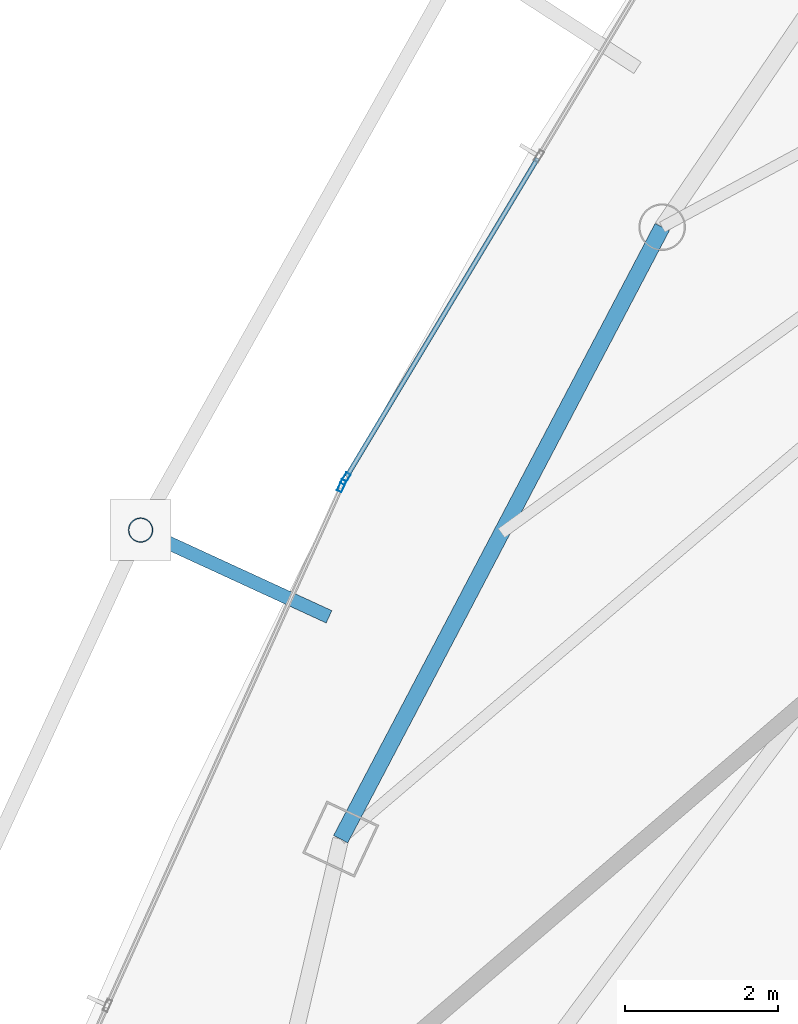
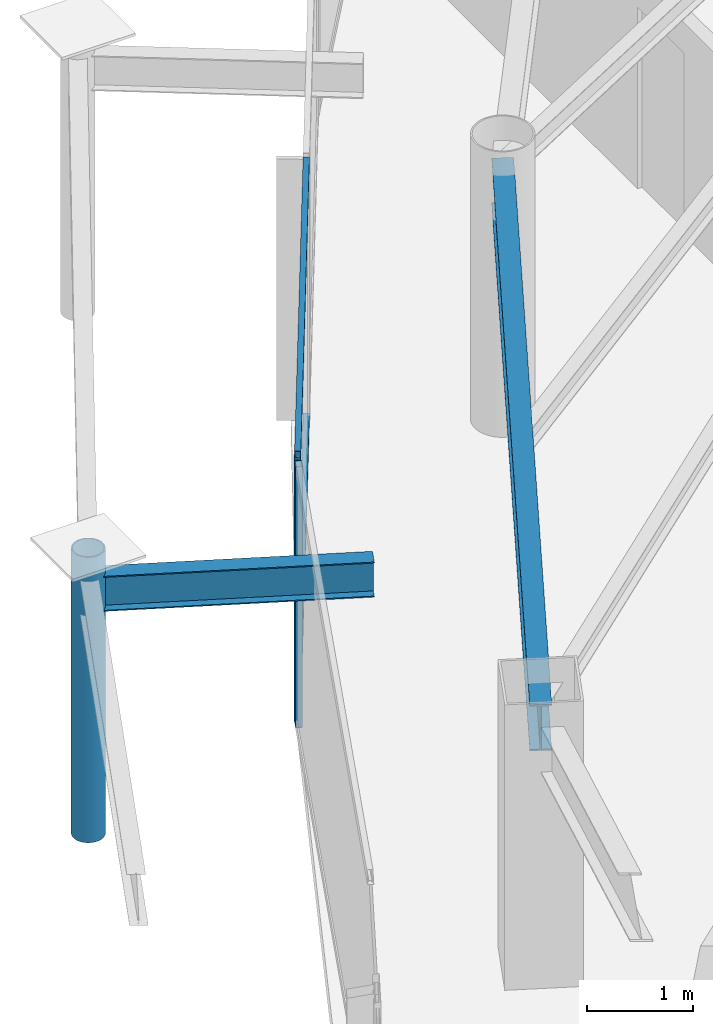
# One storey, part 10 of 30: 5 members, 2 beams, 2 elements without a shape of their own.
"""IFC4 building model written with IfcOpenShell, lengths in metres."""

from ifc_helpers import new_model, si_unit, direction, frame, origin, origin_2d, place, context, subcontext, project, spatial, hollow_rectangle, hollow_circle, i_section, extrude, material, layer, layer_set, material_profile, profile_set, type_object, element, aggregate, save


model = new_model("IFC4")

# Units and contexts
model_context = context("Model", 3, precision=1e-05, world=origin(), true_north=direction((0.0, 1.0)))
body_context = subcontext(model_context, "Body", "Model", "MODEL_VIEW")
ifc_project = project(units=[si_unit("LENGTHUNIT", "METRE"), si_unit("AREAUNIT", "SQUARE_METRE"), si_unit("VOLUMEUNIT", "CUBIC_METRE"), si_unit("PLANEANGLEUNIT", "RADIAN"), si_unit("MASSUNIT", "GRAM", prefix="KILO")], contexts=[model_context])

# Site, building, storey
site_placement = place(None, origin())
site = spatial("IfcSite", under=ifc_project, at=site_placement, CompositionType="ELEMENT")
building_placement = place(site_placement, origin())
building = spatial("IfcBuilding", under=site, at=building_placement, Name="Orvanel Arch Residences", CompositionType="ELEMENT")
storey_placement = place(building_placement, frame((0.0, 0.0, 232.699951171875)))
storey = spatial("IfcBuildingStorey", under=building, at=storey_placement, Name="L66", CompositionType="ELEMENT", Elevation=232.699951171875)

# Curtain wall, member
ifc_material_1 = material(Name="Bronze-anodised aluminium AA6063-T6", Category="aluminium")
ifc_layer = layer(ifc_material_1, 0.175048828125)
ifc_layer_set = layer_set([ifc_layer], Name="Bronze-anodised aluminium AA6063-T6")
curtain_wall_type = type_object("IfcCurtainWallType", Name="CW4-HI-SYS", PredefinedType="NOTDEFINED", material=ifc_layer_set)
curtain_wall_1_placement = place(storey_placement, origin())
curtain_wall_1 = element("IfcCurtainWall", 1, at=curtain_wall_1_placement, inside=storey, type_object=curtain_wall_type, Name="L66 CW4-HI-SYS Unitised Curtain Wall", PredefinedType="NOTDEFINED")
ifc_material_profile_1 = material_profile(ifc_material_1, hollow_rectangle(XDim=0.06494140625, YDim=0.159912109375, WallThickness=0.00390625, at=origin_2d()), Name="ALU160x65x4")
ifc_profile_set_1 = profile_set([ifc_material_profile_1], Name="Bronze-anodised aluminium AA6063-T6")
member_type_1 = type_object("IfcMemberType", Name="MUL-160x65", PredefinedType="MULLION", material=ifc_profile_set_1)
member_1_placement = place(storey_placement, frame((16.4287109375, 24.352783203125, 0.0), z_axis=(0.0, 0.0, 1.0), x_axis=(0.857528580719, -0.514436325748, 0.0)))
member_1 = element("IfcMember", 2, at=member_1_placement, type_object=member_type_1, Name="CW-S4 mullion 3", PredefinedType="MULLION", context=body_context, shape_type="SweptSolid", body=[
    extrude(hollow_rectangle(XDim=0.06494140625, YDim=0.159912109375, WallThickness=0.00390625, at=origin_2d()), origin(), (0.0, 0.0, 1.0), 3.02001953125),
])

curtain_wall_2_placement = place(storey_placement, origin())
curtain_wall_2 = element("IfcCurtainWall", 3, at=curtain_wall_2_placement, inside=storey, type_object=curtain_wall_type, Name="L66 CW4-HI-SYS Unitised Curtain Wall", PredefinedType="NOTDEFINED")
member_2_placement = place(storey_placement, frame((16.380615234375, 24.26025390625, 0.0), z_axis=(0.0, 0.0, 1.0), x_axis=(0.911577429328, -0.411128435335, 0.0)))
member_2 = element("IfcMember", 4, at=member_2_placement, type_object=member_type_1, Name="CW-S4 mullion 1", PredefinedType="MULLION", context=body_context, shape_type="SweptSolid", body=[
    extrude(hollow_rectangle(XDim=0.06494140625, YDim=0.159912109375, WallThickness=0.00390625, at=origin_2d()), origin(), (0.0, 0.0, 1.0), 3.02001953125),
])
aggregate(curtain_wall_2, [member_2])

# Beams
ifc_material_2 = material(Name="Structural steel AS/NZS 3679.1 Grade 300 (300 MPa)", Category="steel")
ifc_material_profile_2 = material_profile(ifc_material_2, i_section(OverallWidth=0.177978515625, OverallDepth=0.406005859375, WebThickness=0.0078125, FlangeThickness=0.0126953125, at=origin_2d()), Name="410UB59.7")
ifc_profile_set_2 = profile_set([ifc_material_profile_2], Name="Structural steel AS/NZS 3679.1 Grade 300 (300 MPa)")
beam_type_1 = type_object("IfcBeamType", Name="OB-410UB-EXT", PredefinedType="SPANDREL", material=ifc_profile_set_2)
beam_1_placement = place(storey_placement, frame((16.215087890625, 22.548095703125, 2.817138671875), z_axis=(-0.908385821683, 0.418132991961, 0.0), x_axis=(-0.418132991961, -0.908385821683, 0.0)))
element("IfcBeam", 5, at=beam_1_placement, inside=storey, type_object=beam_type_1, Name="L66 Outer Frame Radial Tie Beam 03", PredefinedType="SPANDREL", context=body_context, shape_type="SweptSolid", body=[
    extrude(i_section(OverallWidth=0.177978515625, OverallDepth=0.406005859375, WebThickness=0.0078125, FlangeThickness=0.0126953125, at=origin_2d()), origin(), (0.0, 0.0, 1.0), 2.711669921875),
])
ifc_material_profile_3 = material_profile(ifc_material_2, i_section(OverallWidth=0.208984375, OverallDepth=0.532958984375, WebThickness=0.01025390625, FlangeThickness=0.015625, at=origin_2d()), Name="530UB92.4")
ifc_profile_set_3 = profile_set([ifc_material_profile_3], Name="Structural steel AS/NZS 3679.1 Grade 300 (300 MPa)")
beam_type_2 = type_object("IfcBeamType", Name="SP-530UB", PredefinedType="SPANDREL", material=ifc_profile_set_3)
beam_2_placement = place(storey_placement, frame((20.569091796875, 27.64111328125, 2.7529296875), z_axis=(-0.465064762793, -0.885276660942, 0.0), x_axis=(0.885276660942, -0.465064762793, 0.0)))
element("IfcBeam", 6, at=beam_2_placement, inside=storey, type_object=beam_type_2, Name="L66 Perimeter Spandrel Beam 12", PredefinedType="SPANDREL", context=body_context, shape_type="SweptSolid", body=[
    extrude(i_section(OverallWidth=0.208984375, OverallDepth=0.532958984375, WebThickness=0.01025390625, FlangeThickness=0.015625, at=origin_2d()), origin(), (0.0, 0.0, 1.0), 9.03564453125),
])

# Member
ifc_material_3 = material(Name="Structural steel AS/NZS 1163 C350L0 (Grade 350)", Category="steel")
ifc_material_profile_4 = material_profile(ifc_material_3, hollow_circle(Radius=0.162109375, WallThickness=0.0126953125, at=origin_2d()), Name="CHS324x12.7")
ifc_profile_set_4 = profile_set([ifc_material_profile_4], Name="Structural steel AS/NZS 1163 C350L0 (Grade 350)")
member_type_2 = type_object("IfcMemberType", Name="ST-324CHS-EXT", PredefinedType="STRUT", material=ifc_profile_set_4)
member_3_placement = place(storey_placement, frame((13.751953125, 23.681884765625, 0.0), z_axis=(0.0, 0.0, 1.0), x_axis=(1.0, 0.0, 0.0)))
element("IfcMember", 7, at=member_3_placement, inside=storey, type_object=member_type_2, Name="L66 Outer Perimeter Frame Post 03", PredefinedType="STRUT", context=body_context, shape_type="SweptSolid", body=[
    extrude(hollow_circle(Radius=0.162109375, WallThickness=0.0126953125, at=origin_2d()), origin(), (0.0, 0.0, 1.0), 3.300048828125),
])

ifc_material_profile_5 = material_profile(ifc_material_1, hollow_rectangle(XDim=0.06005859375, YDim=0.1201171875, WallThickness=0.00341796875, at=origin_2d()), Name="ALU120x60x3.5")
ifc_profile_set_5 = profile_set([ifc_material_profile_5], Name="Bronze-anodised aluminium AA6063-T6")
member_type_3 = type_object("IfcMemberType", Name="TRN-120x60", PredefinedType="USERDEFINED", material=ifc_profile_set_5)
member_4_placement = place(storey_placement, frame((18.941162109375, 28.541015625, 0.030029296875), z_axis=(-0.514421746216, -0.857537326896, 0.0), x_axis=(0.857537326896, -0.514421746216, 0.0)))
member_4 = element("IfcMember", 8, at=member_4_placement, type_object=member_type_3, Name="CW-S4 transom 2.1", ObjectType="TRANSOM", PredefinedType="USERDEFINED", context=body_context, shape_type="SweptSolid", body=[
    extrude(hollow_rectangle(XDim=0.06005859375, YDim=0.1201171875, WallThickness=0.00341796875, at=origin_2d()), origin(), (0.0, 0.0, 1.0), 4.851318359375),
])

member_5_placement = place(storey_placement, frame((18.941162109375, 28.541015625, 2.989990234375), z_axis=(-0.514421746216, -0.857537326896, 0.0), x_axis=(0.857537326896, -0.514421746216, 0.0)))
member_5 = element("IfcMember", 9, at=member_5_placement, type_object=member_type_3, Name="CW-S4 transom 2.2", ObjectType="TRANSOM", PredefinedType="USERDEFINED", context=body_context, shape_type="SweptSolid", body=[
    extrude(hollow_rectangle(XDim=0.06005859375, YDim=0.1201171875, WallThickness=0.00341796875, at=origin_2d()), origin(), (0.0, 0.0, 1.0), 4.851318359375),
])

aggregate(curtain_wall_1, [member_1, member_4, member_5])

save(model, "model.ifc")
